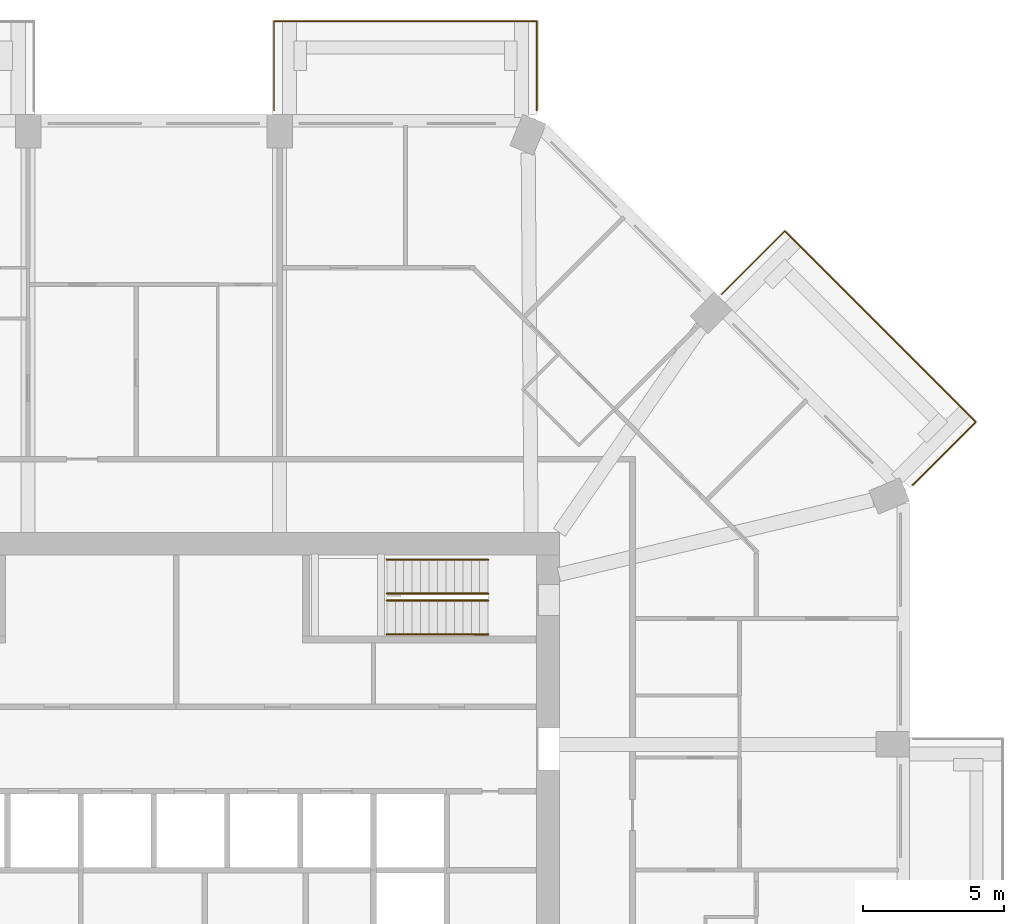
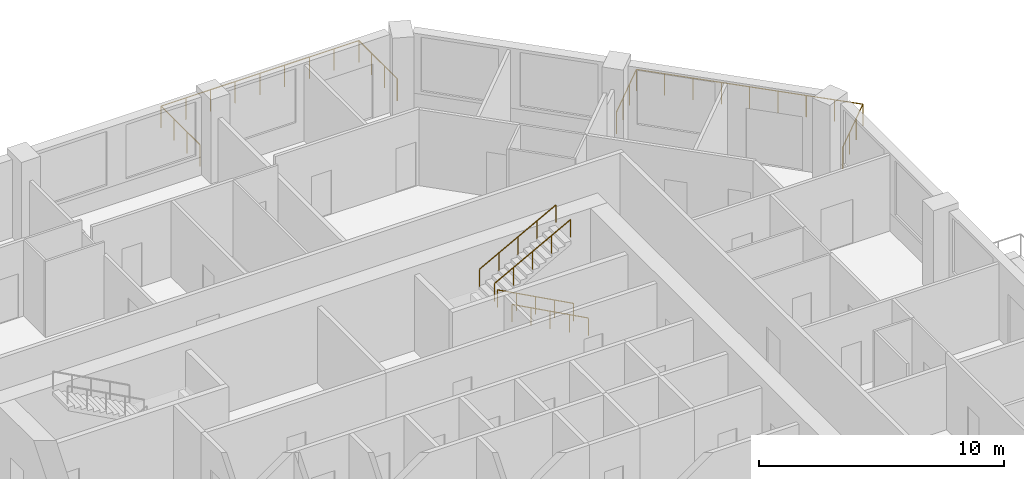
# One storey, part 13 of 13: 6 railings.
"""IFC4 building model written with IfcOpenShell, lengths in metres."""

from ifc_helpers import new_model, si_unit, direction, frame, origin, origin_2d, place, context, subcontext, project, spatial, circle, extrude, material, constituent, constituent_set, type_object, element, save


model = new_model("IFC4")

# Units and contexts
model_context = context("Model", 3, precision=1e-05, world=origin(), true_north=direction((0.0, 1.0)))
body_context = subcontext(model_context, "Body", "Model", "MODEL_VIEW")
ifc_project = project(units=[si_unit("LENGTHUNIT", "METRE"), si_unit("AREAUNIT", "SQUARE_METRE"), si_unit("VOLUMEUNIT", "CUBIC_METRE"), si_unit("PLANEANGLEUNIT", "RADIAN"), si_unit("MASSUNIT", "GRAM", prefix="KILO")], contexts=[model_context])

# Site, building, storey
site_placement = place(None, origin())
site = spatial("IfcSite", under=ifc_project, at=site_placement, CompositionType="ELEMENT")
building_placement = place(site_placement, origin())
building = spatial("IfcBuilding", under=site, at=building_placement, Name="Msitu Wima Residences", CompositionType="ELEMENT")
storey_placement = place(building_placement, frame((0.0, 0.0, 144.300048828125)))
storey = spatial("IfcBuildingStorey", under=building, at=storey_placement, Name="L33", CompositionType="ELEMENT", Elevation=144.300048828125)

# Railings
ifc_material_1 = material(Name="Steel S355", Category="steel")
ifc_constituent_1 = constituent(ifc_material_1, Name="Steel S355")
ifc_material_2 = material(Name="Weathering patina")
ifc_constituent_2 = constituent(ifc_material_2, Name="Weathering patina")
ifc_constituent_set_1 = constituent_set(constituents=[ifc_constituent_1, ifc_constituent_2], Name="Steel S355")
railing_type_1 = type_object("IfcRailingType", Name="Balcony guard GR1100", PredefinedType="GUARDRAIL", material=ifc_constituent_set_1)
railing_1_placement = place(storey_placement, frame((20.171630859375, 20.45458984375, 0.0)))
element("IfcRailing", 1, at=railing_1_placement, inside=storey, type_object=railing_type_1, Name="Balcony guard NE0 L33", PredefinedType="GUARDRAIL", context=body_context, shape_type="SweptSolid", body=[
    extrude(circle(Radius=0.02392578125, at=origin_2d()), frame((0.0, 0.0, 1.076171875), z_axis=(0.707106781187, 0.707106781187, 0.0), x_axis=(-0.707106781187, 0.707106781187, 0.0)), (0.0, 0.0, 1.0), 3.169921875),
    extrude(circle(Radius=0.02392578125, at=origin_2d()), frame((2.241455078125, 2.241455078125, 1.076171875), z_axis=(0.707106781187, -0.707106781187, 0.0), x_axis=(0.707106781187, 0.707106781187, 0.0)), (0.0, 0.0, 1.0), 9.58837890625),
    extrude(circle(Radius=0.02392578125, at=origin_2d()), frame((9.021484375, -4.53857421875, 1.076171875), z_axis=(-0.707106781187, -0.707106781187, 0.0), x_axis=(0.707106781187, -0.707106781187, 0.0)), (0.0, 0.0, 1.0), 3.136474609375),
    extrude(circle(Radius=0.02392578125, at=origin_2d()), frame((6.8037109375, -6.75634765625, 1.076171875), z_axis=(-0.92426142649, -0.38176015442, 0.0), x_axis=(0.38176015442, -0.92426142649, 0.0)), (0.0, 0.0, 1.0), 0.036376953125),
    extrude(circle(Radius=0.02099609375, at=origin_2d()), origin(), (0.0, 0.0, 1.0), 1.052001953125),
    extrude(circle(Radius=0.02099609375, at=origin_2d()), frame((0.7470703125, 0.7470703125, 0.0)), (0.0, 0.0, 1.0), 1.052001953125),
    extrude(circle(Radius=0.02099609375, at=origin_2d()), frame((1.494384765625, 1.494384765625, 0.0)), (0.0, 0.0, 1.0), 1.052001953125),
    extrude(circle(Radius=0.02099609375, at=origin_2d()), frame((2.241455078125, 2.241455078125, 0.0)), (0.0, 0.0, 1.0), 1.052001953125),
    extrude(circle(Radius=0.02099609375, at=origin_2d()), frame((3.0888671875, 1.39404296875, 0.0)), (0.0, 0.0, 1.0), 1.052001953125),
    extrude(circle(Radius=0.02099609375, at=origin_2d()), frame((3.9365234375, 0.54638671875, 0.0)), (0.0, 0.0, 1.0), 1.052001953125),
    extrude(circle(Radius=0.02099609375, at=origin_2d()), frame((4.783935546875, -0.301025390625, 0.0)), (0.0, 0.0, 1.0), 1.052001953125),
    extrude(circle(Radius=0.02099609375, at=origin_2d()), frame((5.63134765625, -1.1484375, 0.0)), (0.0, 0.0, 1.0), 1.052001953125),
    extrude(circle(Radius=0.02099609375, at=origin_2d()), frame((6.47900390625, -1.99609375, 0.0)), (0.0, 0.0, 1.0), 1.052001953125),
    extrude(circle(Radius=0.02099609375, at=origin_2d()), frame((7.326416015625, -2.843505859375, 0.0)), (0.0, 0.0, 1.0), 1.052001953125),
    extrude(circle(Radius=0.02099609375, at=origin_2d()), frame((8.174072265625, -3.691162109375, 0.0)), (0.0, 0.0, 1.0), 1.052001953125),
    extrude(circle(Radius=0.02099609375, at=origin_2d()), frame((9.021484375, -4.53857421875, 0.0)), (0.0, 0.0, 1.0), 1.052001953125),
    extrude(circle(Radius=0.02099609375, at=origin_2d()), frame((8.2822265625, -5.27783203125, 0.0)), (0.0, 0.0, 1.0), 1.052001953125),
    extrude(circle(Radius=0.02099609375, at=origin_2d()), frame((7.54296875, -6.01708984375, 0.0)), (0.0, 0.0, 1.0), 1.052001953125),
    extrude(circle(Radius=0.02099609375, at=origin_2d()), frame((6.8037109375, -6.75634765625, 0.0)), (0.0, 0.0, 1.0), 1.052001953125),
    extrude(circle(Radius=0.02099609375, at=origin_2d()), frame((6.77001953125, -6.770263671875, 0.0)), (0.0, 0.0, 1.0), 1.052001953125),
])
railing_2_placement = place(storey_placement, frame((4.2685546875, 26.97998046875, 0.0)))
element("IfcRailing", 2, at=railing_2_placement, inside=storey, type_object=railing_type_1, Name="Balcony guard N0 L33", PredefinedType="GUARDRAIL", context=body_context, shape_type="SweptSolid", body=[
    extrude(circle(Radius=0.02392578125, at=origin_2d()), frame((0.0, 0.0, 1.076171875), z_axis=(0.0, 1.0, 0.0), x_axis=(-1.0, 0.0, 0.0)), (0.0, 0.0, 1.0), 3.169921875),
    extrude(circle(Radius=0.02392578125, at=origin_2d()), frame((0.0, 3.169921875, 1.076171875), z_axis=(1.0, 0.0, 0.0), x_axis=(0.0, 1.0, 0.0)), (0.0, 0.0, 1.0), 9.33740234375),
    extrude(circle(Radius=0.02392578125, at=origin_2d()), frame((9.33740234375, 3.169921875, 1.076171875), z_axis=(0.0, -1.0, 0.0), x_axis=(1.0, 0.0, 0.0)), (0.0, 0.0, 1.0), 3.136474609375),
    extrude(circle(Radius=0.02392578125, at=origin_2d()), frame((9.33740234375, 0.033447265625, 1.076171875), z_axis=(-0.384136806859, -0.923276184907, 0.0), x_axis=(0.923276184907, -0.384136806859, 0.0)), (0.0, 0.0, 1.0), 0.0361328125),
    extrude(circle(Radius=0.02099609375, at=origin_2d()), origin(), (0.0, 0.0, 1.0), 1.052001953125),
    extrude(circle(Radius=0.02099609375, at=origin_2d()), frame((0.0, 1.056640625, 0.0)), (0.0, 0.0, 1.0), 1.052001953125),
    extrude(circle(Radius=0.02099609375, at=origin_2d()), frame((0.0, 2.11328125, 0.0)), (0.0, 0.0, 1.0), 1.052001953125),
    extrude(circle(Radius=0.02099609375, at=origin_2d()), frame((0.0, 3.169921875, 0.0)), (0.0, 0.0, 1.0), 1.052001953125),
    extrude(circle(Radius=0.02099609375, at=origin_2d()), frame((1.167236328125, 3.169921875, 0.0)), (0.0, 0.0, 1.0), 1.052001953125),
    extrude(circle(Radius=0.02099609375, at=origin_2d()), frame((2.33447265625, 3.169921875, 0.0)), (0.0, 0.0, 1.0), 1.052001953125),
    extrude(circle(Radius=0.02099609375, at=origin_2d()), frame((3.50146484375, 3.169921875, 0.0)), (0.0, 0.0, 1.0), 1.052001953125),
    extrude(circle(Radius=0.02099609375, at=origin_2d()), frame((4.668701171875, 3.169921875, 0.0)), (0.0, 0.0, 1.0), 1.052001953125),
    extrude(circle(Radius=0.02099609375, at=origin_2d()), frame((5.8359375, 3.169921875, 0.0)), (0.0, 0.0, 1.0), 1.052001953125),
    extrude(circle(Radius=0.02099609375, at=origin_2d()), frame((7.0029296875, 3.169921875, 0.0)), (0.0, 0.0, 1.0), 1.052001953125),
    extrude(circle(Radius=0.02099609375, at=origin_2d()), frame((8.170166015625, 3.169921875, 0.0)), (0.0, 0.0, 1.0), 1.052001953125),
    extrude(circle(Radius=0.02099609375, at=origin_2d()), frame((9.33740234375, 3.169921875, 0.0)), (0.0, 0.0, 1.0), 1.052001953125),
    extrude(circle(Radius=0.02099609375, at=origin_2d()), frame((9.33740234375, 2.12451171875, 0.0)), (0.0, 0.0, 1.0), 1.052001953125),
    extrude(circle(Radius=0.02099609375, at=origin_2d()), frame((9.33740234375, 1.078857421875, 0.0)), (0.0, 0.0, 1.0), 1.052001953125),
    extrude(circle(Radius=0.02099609375, at=origin_2d()), frame((9.33740234375, 0.033447265625, 0.0)), (0.0, 0.0, 1.0), 1.052001953125),
    extrude(circle(Radius=0.02099609375, at=origin_2d()), frame((9.323486328125, 0.0, 0.0)), (0.0, 0.0, 1.0), 1.052001953125),
])
ifc_constituent_3 = constituent(ifc_material_1, Name="Steel S355")
ifc_material_3 = material(Name="Black powder coating")
ifc_constituent_4 = constituent(ifc_material_3, Name="Black powder coating")
ifc_constituent_set_2 = constituent_set(constituents=[ifc_constituent_3, ifc_constituent_4], Name="Steel S355")
railing_type_2 = type_object("IfcRailingType", Name="Stair handrail HR1", PredefinedType="HANDRAIL", material=ifc_constituent_set_2)
for number, where, name in (
    (3, (11.875, 8.375, 0.161376953125), "Stair 3 handrail"),
    (4, (11.875, 9.574951171875, 0.161376953125), "Stair 3 handrail"),
):
    element("IfcRailing", number, at=place(storey_placement, frame(where)), inside=storey, type_object=railing_type_2, Name=name, PredefinedType="HANDRAIL", context=body_context, shape_type="SweptSolid", body=[
        extrude(circle(Radius=0.02392578125, at=origin_2d()), frame((0.0, 0.0, 0.8759765625), z_axis=(-0.880474934443, 0.0, 0.474092701714), x_axis=(0.0, -1.0, 0.0)), (0.0, 0.0, 1.0), 4.0888671875),
        extrude(circle(Radius=0.02099609375, at=origin_2d()), origin(), (0.0, 0.0, 1.0), 0.851806640625),
        extrude(circle(Radius=0.02099609375, at=origin_2d()), frame((-0.89990234375, 0.0, 0.484619140625)), (0.0, 0.0, 1.0), 0.851806640625),
        extrude(circle(Radius=0.02099609375, at=origin_2d()), frame((-1.800048828125, 0.0, 0.96923828125)), (0.0, 0.0, 1.0), 0.851806640625),
        extrude(circle(Radius=0.02099609375, at=origin_2d()), frame((-2.7001953125, 0.0, 1.453857421875)), (0.0, 0.0, 1.0), 0.851806640625),
        extrude(circle(Radius=0.02099609375, at=origin_2d()), frame((-3.60009765625, 0.0, 1.9384765625)), (0.0, 0.0, 1.0), 0.851806640625),
    ])
for number, where, name in (
    (5, (8.27490234375, 9.824951171875, 2.261474609375), "Stair 3 handrail"),
    (6, (8.27490234375, 11.02490234375, 2.261474609375), "Stair 3 handrail"),
):
    element("IfcRailing", number, at=place(storey_placement, frame(where)), inside=storey, type_object=railing_type_2, Name=name, PredefinedType="HANDRAIL", context=body_context, shape_type="SweptSolid", body=[
        extrude(circle(Radius=0.02392578125, at=origin_2d()), frame((0.0, 0.0, 0.8759765625), z_axis=(0.880474934443, 0.0, 0.474092701714), x_axis=(0.0, 1.0, 0.0)), (0.0, 0.0, 1.0), 4.0888671875),
        extrude(circle(Radius=0.02099609375, at=origin_2d()), origin(), (0.0, 0.0, 1.0), 0.851806640625),
        extrude(circle(Radius=0.02099609375, at=origin_2d()), frame((0.89990234375, 0.0, 0.484619140625)), (0.0, 0.0, 1.0), 0.851806640625),
        extrude(circle(Radius=0.02099609375, at=origin_2d()), frame((1.800048828125, 0.0, 0.96923828125)), (0.0, 0.0, 1.0), 0.851806640625),
        extrude(circle(Radius=0.02099609375, at=origin_2d()), frame((2.7001953125, 0.0, 1.453857421875)), (0.0, 0.0, 1.0), 0.851806640625),
        extrude(circle(Radius=0.02099609375, at=origin_2d()), frame((3.60009765625, 0.0, 1.9384765625)), (0.0, 0.0, 1.0), 0.851806640625),
    ])

save(model, "model.ifc")
